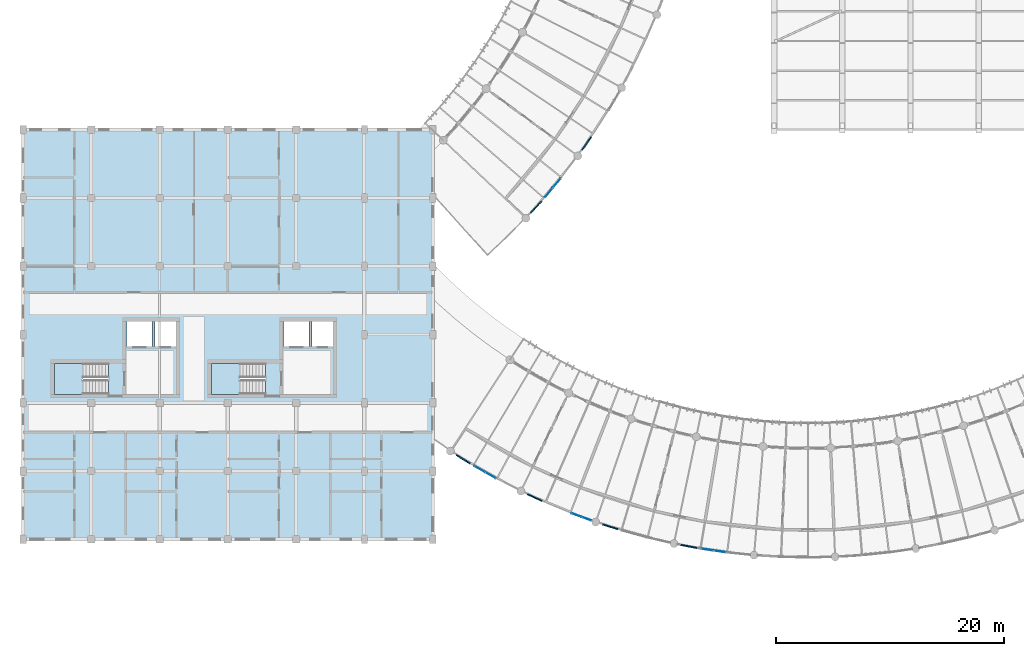
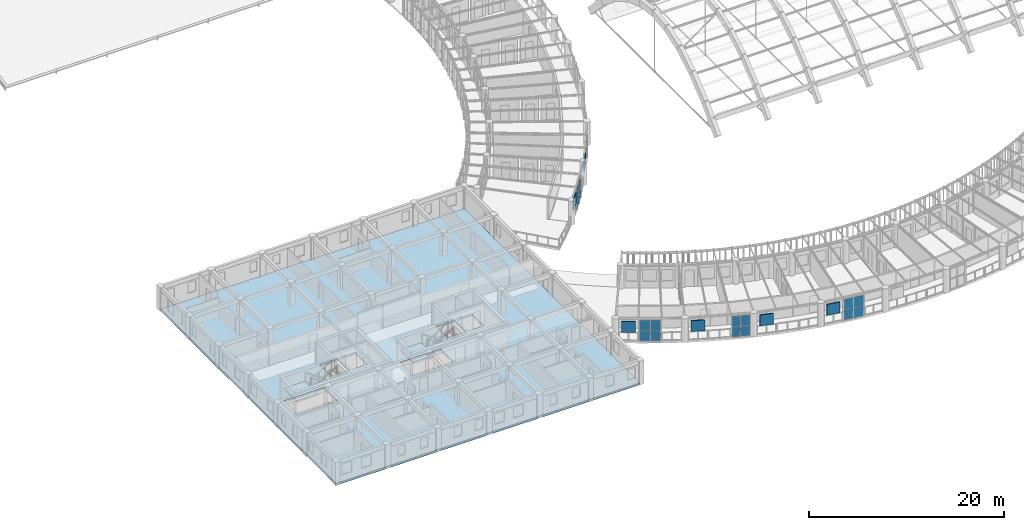
# One storey, part 60 of 123: 22 plates, 3 slabs, 6 elements without a shape of their own.
"""IFC4 building model written with IfcOpenShell, lengths in metres."""

from ifc_helpers import new_model, si_unit, direction, frame, origin, origin_2d, place, context, subcontext, project, spatial, polyline, rectangle, outline, extrude, material, layer, layer_set, type_object, element, aggregate, save


model = new_model("IFC4")

# Units and contexts
model_context = context("Model", 3, precision=1e-05, world=origin(), true_north=direction((0.0, 1.0)))
body_context = subcontext(model_context, "Body", "Model", "MODEL_VIEW")
ifc_project = project(units=[si_unit("LENGTHUNIT", "METRE"), si_unit("AREAUNIT", "SQUARE_METRE"), si_unit("VOLUMEUNIT", "CUBIC_METRE"), si_unit("PLANEANGLEUNIT", "RADIAN"), si_unit("MASSUNIT", "GRAM", prefix="KILO"), si_unit("POWERUNIT", "WATT"), si_unit("THERMODYNAMICTEMPERATUREUNIT", "KELVIN")], contexts=[model_context])

# Site, building, storey
site_placement = place(None, origin())
site = spatial("IfcSite", under=ifc_project, at=site_placement, CompositionType="ELEMENT")
building_placement = place(site_placement, origin())
building = spatial("IfcBuilding", under=site, at=building_placement, Name="Ruvembo Vaulted Housing Court", CompositionType="ELEMENT")
storey_placement = place(building_placement, frame((0.0, 0.0, 7.699951171875)))
storey = spatial("IfcBuildingStorey", under=building, at=storey_placement, Name="L02", CompositionType="ELEMENT", Elevation=7.699951171875)

# Curtain wall, plates
ifc_material_1 = material(Name="Anodised Aluminium and Solar-Control Glass", Category="aluminium")
ifc_layer_1 = layer(ifc_material_1, 0.1201171875, Name="Anodised Aluminium and Solar-Control Glass")
ifc_layer_set_1 = layer_set([ifc_layer_1], Name="Anodised Aluminium and Solar-Control Glass")
curtain_wall_type_1 = type_object("IfcCurtainWallType", Name="CW-SCOOP-GAL", PredefinedType="NOTDEFINED", material=ifc_layer_set_1)
curtain_wall_1_placement = place(storey_placement, origin())
curtain_wall_1 = element("IfcCurtainWall", 1, at=curtain_wall_1_placement, inside=storey, type_object=curtain_wall_type_1, Name="L02 Curtain Wall CW-L02-0036", PredefinedType="NOTDEFINED")
ifc_material_2 = material(Name="Solar-Control Laminated Insulating Glass", Category="glass")
ifc_layer_2 = layer(ifc_material_2, 0.035888671875, Name="Solar-Control Laminated Insulating Glass")
ifc_layer_set_2 = layer_set([ifc_layer_2], Name="Solar-Control Laminated Insulating Glass")
plate_type_1 = type_object("IfcPlateType", Name="CW-PANEL-ACOUST", PredefinedType="CURTAIN_PANEL", material=ifc_layer_set_2)
plate_1_placement = place(storey_placement, frame((48.627197265625, 8.132568359375, 0.06005859375), z_axis=(0.0, 0.0, 1.0), x_axis=(0.939141570025, -0.343530364672, 0.0)))
plate_1 = element("IfcPlate", 2, at=plate_1_placement, type_object=plate_type_1, Name="CW6 panel 1.1", PredefinedType="CURTAIN_PANEL", context=body_context, shape_type="SweptSolid", body=[
    extrude(rectangle(XDim=0.89794921875, YDim=0.035888671875, at=origin_2d()), origin(), (0.0, 0.0, 1.0), 1.259033203125),
])
plate_2_placement = place(storey_placement, frame((48.627197265625, 8.132568359375, 1.37890625), z_axis=(0.0, 0.0, 1.0), x_axis=(0.939141570025, -0.343530364672, 0.0)))
plate_2 = element("IfcPlate", 3, at=plate_2_placement, type_object=plate_type_1, Name="CW6 panel 1.2", PredefinedType="CURTAIN_PANEL", context=body_context, shape_type="SweptSolid", body=[
    extrude(rectangle(XDim=0.89794921875, YDim=0.035888671875, at=origin_2d()), origin(), (0.0, 0.0, 1.0), 1.259033203125),
])
plate_3_placement = place(storey_placement, frame((49.527099609375, 7.803466796875, 0.06005859375), z_axis=(0.0, 0.0, 1.0), x_axis=(0.939141570025, -0.343530364672, 0.0)))
plate_3 = element("IfcPlate", 4, at=plate_3_placement, type_object=plate_type_1, Name="CW6 panel 2.1", PredefinedType="CURTAIN_PANEL", context=body_context, shape_type="SweptSolid", body=[
    extrude(rectangle(XDim=0.89794921875, YDim=0.035888671875, at=origin_2d()), origin(), (0.0, 0.0, 1.0), 1.259033203125),
])
plate_4_placement = place(storey_placement, frame((49.527099609375, 7.803466796875, 1.37890625), z_axis=(0.0, 0.0, 1.0), x_axis=(0.939141570025, -0.343530364672, 0.0)))
plate_4 = element("IfcPlate", 5, at=plate_4_placement, type_object=plate_type_1, Name="CW6 panel 2.2", PredefinedType="CURTAIN_PANEL", context=body_context, shape_type="SweptSolid", body=[
    extrude(rectangle(XDim=0.89794921875, YDim=0.035888671875, at=origin_2d()), origin(), (0.0, 0.0, 1.0), 1.259033203125),
])
aggregate(curtain_wall_1, [plate_1, plate_2, plate_3, plate_4])

curtain_wall_2_placement = place(storey_placement, origin())
curtain_wall_2 = element("IfcCurtainWall", 6, at=curtain_wall_2_placement, inside=storey, type_object=curtain_wall_type_1, Name="L02 Curtain Wall CW-L02-0035", PredefinedType="NOTDEFINED")
ifc_layer_3 = layer(ifc_material_2, 0.028076171875, Name="Solar-Control Laminated Insulating Glass")
ifc_layer_set_3 = layer_set([ifc_layer_3], Name="Solar-Control Laminated Insulating Glass")
plate_type_2 = type_object("IfcPlateType", Name="CW-PANEL-GLAZED", PredefinedType="CURTAIN_PANEL", material=ifc_layer_set_3)
plate_5_placement = place(storey_placement, frame((40.11962890625, 12.174560546875, 0.06005859375), z_axis=(0.0, 0.0, 1.0), x_axis=(0.869984489964, -0.493079088202, 0.0)))
plate_5 = element("IfcPlate", 7, at=plate_5_placement, type_object=plate_type_2, Name="CW6 panel 1.1", PredefinedType="CURTAIN_PANEL", context=body_context, shape_type="SweptSolid", body=[
    extrude(rectangle(XDim=1.055419921875, YDim=0.028076171875, at=origin_2d()), origin(), (0.0, 0.0, 1.0), 1.259033203125),
])
plate_6_placement = place(storey_placement, frame((40.11962890625, 12.174560546875, 1.37890625), z_axis=(0.0, 0.0, 1.0), x_axis=(0.869984489964, -0.493079088202, 0.0)))
plate_6 = element("IfcPlate", 8, at=plate_6_placement, type_object=plate_type_2, Name="CW6 panel 1.2", PredefinedType="CURTAIN_PANEL", context=body_context, shape_type="SweptSolid", body=[
    extrude(rectangle(XDim=1.055419921875, YDim=0.028076171875, at=origin_2d()), origin(), (0.0, 0.0, 1.0), 1.259033203125),
])
plate_7_placement = place(storey_placement, frame((41.085693359375, 11.626953125, 0.06005859375), z_axis=(0.0, 0.0, 1.0), x_axis=(0.869984489964, -0.493079088202, 0.0)))
plate_7 = element("IfcPlate", 9, at=plate_7_placement, type_object=plate_type_2, Name="CW6 panel 2.1", PredefinedType="CURTAIN_PANEL", context=body_context, shape_type="SweptSolid", body=[
    extrude(rectangle(XDim=1.055419921875, YDim=0.028076171875, at=origin_2d()), origin(), (0.0, 0.0, 1.0), 1.259033203125),
])
plate_8_placement = place(storey_placement, frame((41.085693359375, 11.626953125, 1.37890625), z_axis=(0.0, 0.0, 1.0), x_axis=(0.869984489964, -0.493079088202, 0.0)))
plate_8 = element("IfcPlate", 10, at=plate_8_placement, type_object=plate_type_2, Name="CW6 panel 2.2", PredefinedType="CURTAIN_PANEL", context=body_context, shape_type="SweptSolid", body=[
    extrude(rectangle(XDim=1.055419921875, YDim=0.028076171875, at=origin_2d()), origin(), (0.0, 0.0, 1.0), 1.259033203125),
])
aggregate(curtain_wall_2, [plate_5, plate_6, plate_7, plate_8])

curtain_wall_3_placement = place(storey_placement, origin())
curtain_wall_3 = element("IfcCurtainWall", 11, at=curtain_wall_3_placement, inside=storey, type_object=curtain_wall_type_1, Name="L02 Curtain Wall CW-L02-0013", PredefinedType="NOTDEFINED")
ifc_layer_4 = layer(ifc_material_2, 0.031982421875, Name="Solar-Control Laminated Insulating Glass")
ifc_layer_set_4 = layer_set([ifc_layer_4], Name="Solar-Control Laminated Insulating Glass")
plate_type_3 = type_object("IfcPlateType", Name="CW-PANEL-SOLAR", PredefinedType="CURTAIN_PANEL", material=ifc_layer_set_4)
plate_9_placement = place(storey_placement, frame((46.207763671875, 36.468994140625, 0.065185546875), z_axis=(0.0, 0.0, 1.0), x_axis=(0.639868943167, 0.768484050303, 0.0)))
plate_9 = element("IfcPlate", 12, at=plate_9_placement, type_object=plate_type_3, Name="CW6 panel 1.1", PredefinedType="CURTAIN_PANEL", context=body_context, shape_type="SweptSolid", body=[
    extrude(rectangle(XDim=1.04833984375, YDim=0.031982421875, at=origin_2d()), origin(), (0.0, 0.0, 1.0), 1.25146484375),
])
plate_10_placement = place(storey_placement, frame((46.207763671875, 36.468994140625, 1.381591796875), z_axis=(0.0, 0.0, 1.0), x_axis=(0.639868943167, 0.768484050303, 0.0)))
plate_10 = element("IfcPlate", 13, at=plate_10_placement, type_object=plate_type_3, Name="CW6 panel 1.2", PredefinedType="CURTAIN_PANEL", context=body_context, shape_type="SweptSolid", body=[
    extrude(rectangle(XDim=1.04833984375, YDim=0.031982421875, at=origin_2d()), origin(), (0.0, 0.0, 1.0), 1.25146484375),
])
plate_11_placement = place(storey_placement, frame((46.9169921875, 37.32080078125, 0.065185546875), z_axis=(0.0, 0.0, 1.0), x_axis=(0.639868943167, 0.768484050303, 0.0)))
plate_11 = element("IfcPlate", 14, at=plate_11_placement, type_object=plate_type_3, Name="CW6 panel 2.1", PredefinedType="CURTAIN_PANEL", context=body_context, shape_type="SweptSolid", body=[
    extrude(rectangle(XDim=1.04833984375, YDim=0.031982421875, at=origin_2d()), origin(), (0.0, 0.0, 1.0), 1.25146484375),
])
plate_12_placement = place(storey_placement, frame((46.9169921875, 37.32080078125, 1.381591796875), z_axis=(0.0, 0.0, 1.0), x_axis=(0.639868943167, 0.768484050303, 0.0)))
plate_12 = element("IfcPlate", 15, at=plate_12_placement, type_object=plate_type_3, Name="CW6 panel 2.2", PredefinedType="CURTAIN_PANEL", context=body_context, shape_type="SweptSolid", body=[
    extrude(rectangle(XDim=1.04833984375, YDim=0.031982421875, at=origin_2d()), origin(), (0.0, 0.0, 1.0), 1.25146484375),
])
aggregate(curtain_wall_3, [plate_9, plate_10, plate_11, plate_12])

ifc_layer_5 = layer(ifc_material_1, 0.139892578125, Name="Anodised Aluminium and Solar-Control Glass")
ifc_layer_set_5 = layer_set([ifc_layer_5], Name="Anodised Aluminium and Solar-Control Glass")
curtain_wall_type_2 = type_object("IfcCurtainWallType", Name="CW-SCOOP-PAN", PredefinedType="NOTDEFINED", material=ifc_layer_set_5)
curtain_wall_4_placement = place(storey_placement, origin())
curtain_wall_4 = element("IfcCurtainWall", 16, at=curtain_wall_4_placement, inside=storey, type_object=curtain_wall_type_2, Name="L02 Curtain Wall CW-L02-0037", PredefinedType="NOTDEFINED")
plate_13_placement = place(storey_placement, frame((60.165771484375, 5.09130859375, 0.065185546875), z_axis=(0.0, 0.0, 1.0), x_axis=(0.989599407362, -0.143850661969, 0.0)))
plate_13 = element("IfcPlate", 17, at=plate_13_placement, type_object=plate_type_3, Name="CW10 panel 1.1", PredefinedType="CURTAIN_PANEL", context=body_context, shape_type="SweptSolid", body=[
    extrude(rectangle(XDim=1.048095703125, YDim=0.031982421875, at=origin_2d()), origin(), (0.0, 0.0, 1.0), 1.25146484375),
])
plate_14_placement = place(storey_placement, frame((60.165771484375, 5.09130859375, 1.381591796875), z_axis=(0.0, 0.0, 1.0), x_axis=(0.989599407362, -0.143850661969, 0.0)))
plate_14 = element("IfcPlate", 18, at=plate_14_placement, type_object=plate_type_3, Name="CW10 panel 1.2", PredefinedType="CURTAIN_PANEL", context=body_context, shape_type="SweptSolid", body=[
    extrude(rectangle(XDim=1.048095703125, YDim=0.031982421875, at=origin_2d()), origin(), (0.0, 0.0, 1.0), 1.25146484375),
])
plate_15_placement = place(storey_placement, frame((61.26220703125, 4.931884765625, 0.065185546875), z_axis=(0.0, 0.0, 1.0), x_axis=(0.989599407362, -0.143850661969, 0.0)))
plate_15 = element("IfcPlate", 19, at=plate_15_placement, type_object=plate_type_3, Name="CW10 panel 2.1", PredefinedType="CURTAIN_PANEL", context=body_context, shape_type="SweptSolid", body=[
    extrude(rectangle(XDim=1.048095703125, YDim=0.031982421875, at=origin_2d()), origin(), (0.0, 0.0, 1.0), 1.25146484375),
])
plate_16_placement = place(storey_placement, frame((61.26220703125, 4.931884765625, 1.381591796875), z_axis=(0.0, 0.0, 1.0), x_axis=(0.989599407362, -0.143850661969, 0.0)))
plate_16 = element("IfcPlate", 20, at=plate_16_placement, type_object=plate_type_3, Name="CW10 panel 2.2", PredefinedType="CURTAIN_PANEL", context=body_context, shape_type="SweptSolid", body=[
    extrude(rectangle(XDim=1.048095703125, YDim=0.031982421875, at=origin_2d()), origin(), (0.0, 0.0, 1.0), 1.25146484375),
])
aggregate(curtain_wall_4, [plate_13, plate_14, plate_15, plate_16])

# Plates
ifc_material_3 = material(Name="Perforated Glazed Ceramic Cobogo Block", Category="ceramic")
ifc_layer_6 = layer(ifc_material_3, 0.1201171875, Name="Perforated Glazed Ceramic Cobogo Block")
ifc_layer_set_6 = layer_set([ifc_layer_6], Name="Perforated Glazed Ceramic Cobogo Block")
plate_type_4 = type_object("IfcPlateType", Name="PL-COBOGO-120", PredefinedType="USERDEFINED", material=ifc_layer_set_6)
for number, where, z_axis, x_axis, name in (
    (21, (45.105712890625, 35.2119140625, 1.1201171875), (0.0, 0.0, 1.0), (0.670815024682, 0.741624704726, 0.0), "Scoop SC1 L02 Ceramic Cobogo Screen #7"),
    (22, (49.53662109375, 40.790283203125, 1.1201171875), (0.0, 0.0, 1.0), (0.574805323191, 0.818290193288, 0.0), "Scoop SC1 L02 Ceramic Cobogo Screen #8"),
    (23, (38.68798828125, 13.03515625, 1.1201171875), (0.0, 0.0, 1.0), (0.848888670256, -0.528571684363, 0.0), "Scoop SC2 L02 Ceramic Cobogo Screen #39"),
    (24, (44.964111328125, 9.66796875, 1.1201171875), (0.0, 0.0, 1.0), (0.90764565898, -0.419737248448, 0.0), "Scoop SC2 L02 Ceramic Cobogo Screen #40"),
    (25, (51.608154296875, 7.10107421875, 1.1201171875), (0.0, 0.0, 1.0), (0.952523417345, -0.304465333674, 0.0), "Scoop SC2 L02 Ceramic Cobogo Screen #41"),
    (26, (58.51806640625, 5.3740234375, 1.1201171875), (0.0, 0.0, 1.0), (0.982816353606, -0.184586064165, 0.0), "Scoop SC2 L02 Ceramic Cobogo Screen #42"),
):
    element("IfcPlate", number, at=place(storey_placement, frame(where, z_axis=z_axis, x_axis=x_axis)), inside=storey, type_object=plate_type_4, Name=name, ObjectType="COBOGO_PANEL", PredefinedType="USERDEFINED", context=body_context, shape_type="SweptSolid", body=[
        extrude(rectangle(XDim=1.39990234375, YDim=0.1201171875, at=origin_2d()), origin(), (0.0, 0.0, 1.0), 1.360107421875),
    ])

# Slab
ifc_material_4 = material(Name="Concrete C30/37", Category="concrete")
ifc_layer_7 = layer(ifc_material_4, 0.2548828125, Name="Concrete C30/37")
ifc_layer_set_7 = layer_set([ifc_layer_7], Name="Concrete C30/37")
slab_type_1 = type_object("IfcSlabType", Name="SL-FLR-255", PredefinedType="FLOOR", material=ifc_layer_set_7)
slab_1_placement = place(storey_placement, frame((0.0, 0.0, -0.2548828125)))
element("IfcSlab", 27, at=slab_1_placement, inside=storey, type_object=slab_type_1, Name="Block A L02 Structural Floor Slab", PredefinedType="FLOOR", context=body_context, shape_type="SweptSolid", body=[
    extrude(outline(polyline([(36.0, 6.0), (36.0, 42.0), (0.0, 42.0), (0.0, 6.0), (36.0, 6.0)]), holes=[polyline([(7.5, 21.449951171875), (2.75, 21.449951171875), (2.75, 18.75), (7.5, 18.75), (7.5, 21.449951171875)]), polyline([(9.14990234375, 22.85009765625), (11.35009765625, 22.85009765625), (11.35009765625, 25.25), (9.14990234375, 25.25), (9.14990234375, 22.85009765625)]), polyline([(11.60009765625, 22.85009765625), (13.449951171875, 22.85009765625), (13.449951171875, 25.25), (11.60009765625, 25.25), (11.60009765625, 22.85009765625)]), polyline([(21.300048828125, 21.449951171875), (16.550048828125, 21.449951171875), (16.550048828125, 18.75), (21.300048828125, 18.75), (21.300048828125, 21.449951171875)]), polyline([(22.949951171875, 22.85009765625), (25.14990234375, 22.85009765625), (25.14990234375, 25.25), (22.949951171875, 25.25), (22.949951171875, 22.85009765625)]), polyline([(25.39990234375, 22.85009765625), (27.25, 22.85009765625), (27.25, 25.25), (25.39990234375, 25.25), (25.39990234375, 22.85009765625)])]), origin(), (0.0, 0.0, 1.0), 0.2548828125),
])

# Stair, slab
ifc_material_5 = material(Name="Concrete C35/45", Category="concrete")
stair_type = type_object("IfcStairType", Name="STR-CORE-1250", PredefinedType="HALF_TURN_STAIR", material=ifc_material_5)
stair_1_placement = place(storey_placement, origin())
stair_1 = element("IfcStair", 28, at=stair_1_placement, inside=storey, type_object=stair_type, Name="L02 Protected Exit Stair ST-A1", PredefinedType="HALF_TURN_STAIR")
ifc_layer_8 = layer(ifc_material_4, 0.201904296875, Name="Concrete C30/37")
ifc_layer_set_8 = layer_set([ifc_layer_8], Name="Concrete C30/37")
slab_type_2 = type_object("IfcSlabType", Name="SL-LAND-202", PredefinedType="LANDING", material=ifc_layer_set_8)
slab_2_placement = place(storey_placement, frame((0.0, 0.0, 1.400146484375)))
slab_2 = element("IfcSlab", 29, at=slab_2_placement, type_object=slab_type_2, Name="ST-A1 landing 1", PredefinedType="LANDING", context=body_context, shape_type="SweptSolid", body=[
    extrude(outline(polyline([(5.260009765625, 21.449951171875), (2.75, 21.449951171875), (2.75, 18.75), (5.260009765625, 18.75), (5.260009765625, 21.449951171875)])), origin(), (0.0, 0.0, 1.0), 0.199951171875),
])
aggregate(stair_1, [slab_2])

stair_2_placement = place(storey_placement, origin())
stair_2 = element("IfcStair", 30, at=stair_2_placement, inside=storey, type_object=stair_type, Name="L02 Protected Exit Stair ST-A2", PredefinedType="HALF_TURN_STAIR")
slab_3_placement = place(storey_placement, frame((0.0, 0.0, 1.400146484375)))
slab_3 = element("IfcSlab", 31, at=slab_3_placement, type_object=slab_type_2, Name="ST-A2 landing 1", PredefinedType="LANDING", context=body_context, shape_type="SweptSolid", body=[
    extrude(outline(polyline([(19.06005859375, 21.449951171875), (16.550048828125, 21.449951171875), (16.550048828125, 18.75), (19.06005859375, 18.75), (19.06005859375, 21.449951171875)])), origin(), (0.0, 0.0, 1.0), 0.199951171875),
])
aggregate(stair_2, [slab_3])

save(model, "model.ifc")
